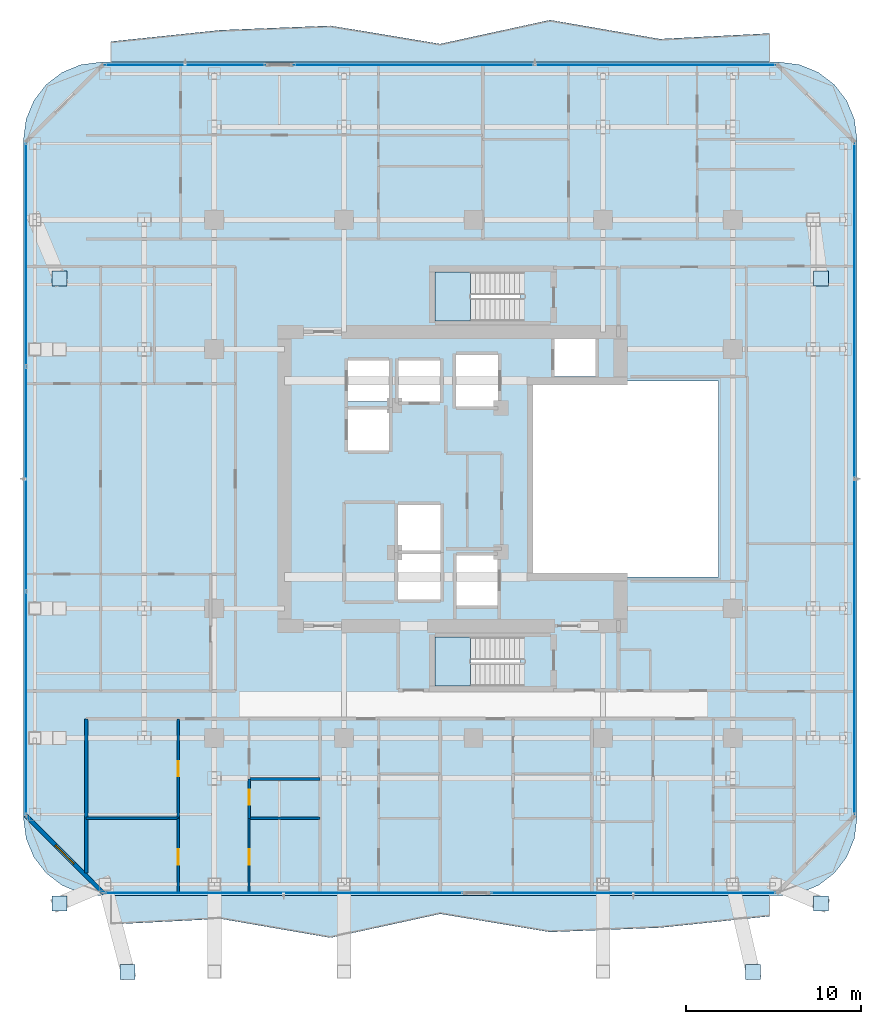
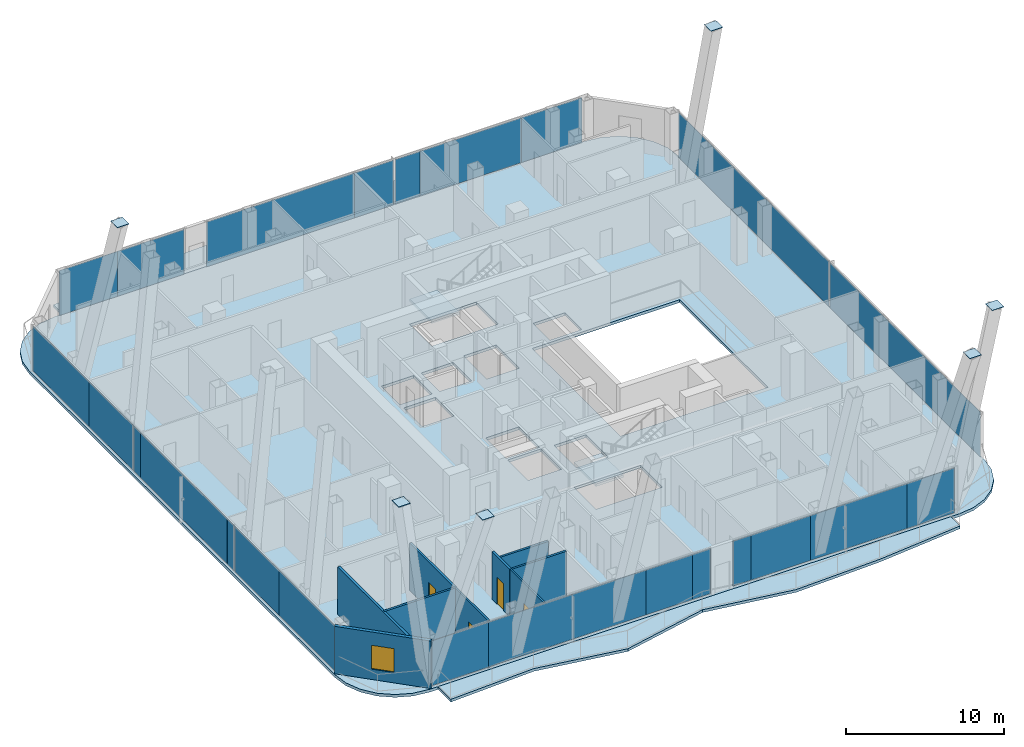
# One storey, part 22 of 34: 30 plates, 9 walls, 5 slabs, 4 doors, 1 window, 5 openings, 8 elements without a shape of their own.
"""IFC4 building model written with IfcOpenShell, lengths in metres."""

import ifcopenshell
import ifcopenshell.guid

model = None  # the IFC model being written
_history = None  # IfcOwnerHistory: only IFC2X3 demands one
_inside = {}  # id of a spatial element -> (the spatial element, [elements in it])
_under = {}  # id of a project, library or spatial element -> (it, [spatial elements below it])
_declared = {}  # id of a project -> (the project, [libraries it declares])
_typed = {}  # id of a type object -> (the type object, [elements of that type])
_made_of = {}  # id of a material, layer set ... -> (it, [elements and type objects made of it])


def new_model(schema):
    """Start an empty IFC model of exactly this schema.

    Asked for "IFC4X3", IfcOpenShell would pick the latest addendum, in which some entities
    have other attributes; the version numbers below select the first issue.
    IFC2X3 requires an IfcOwnerHistory on every rooted entity: one is made here for all.
    """
    global model, _history
    if schema == "IFC4X3":
        model = ifcopenshell.file(schema_version=(4, 3, 0, 0))
    else:
        model = ifcopenshell.file(schema=schema)
    _inside.clear()
    _under.clear()
    _declared.clear()
    _typed.clear()
    _made_of.clear()
    _history = None
    if model.schema == "IFC2X3":
        org = make("IfcOrganization", Name="unknown")
        user = make(
            "IfcPersonAndOrganization",
            ThePerson=make("IfcPerson", FamilyName="unknown"),
            TheOrganization=org,
        )
        app = make(
            "IfcApplication",
            ApplicationDeveloper=org,
            Version="unknown",
            ApplicationFullName="unknown",
            ApplicationIdentifier="unknown",
        )
        _history = make(
            "IfcOwnerHistory",
            OwningUser=user,
            OwningApplication=app,
            ChangeAction="ADDED",
            CreationDate=0,
        )
    return model


def make(cls, **values):
    """One entity of the class cls with the attributes given. An attribute that is None is left unset."""
    return model.create_entity(
        cls, **{name: value for name, value in values.items() if value is not None}
    )


def rooted(cls, **values):
    """An entity with a GlobalId (a new one), such as an element, a storey or a relation."""
    return make(cls, GlobalId=ifcopenshell.guid.new(), OwnerHistory=_history, **values)


def si_unit(unit_type, name, prefix=None):
    """IfcSIUnit, for example si_unit("LENGTHUNIT", "METRE", prefix="MILLI")."""
    return make("IfcSIUnit", UnitType=unit_type, Prefix=prefix, Name=name)


def assignment(units):
    """IfcUnitAssignment: the units of a project."""
    return None if units is None else make("IfcUnitAssignment", Units=units)


def point(xyz):
    """IfcCartesianPoint."""
    return None if xyz is None else make("IfcCartesianPoint", Coordinates=xyz)


def direction(xyz):
    """IfcDirection."""
    return None if xyz is None else make("IfcDirection", DirectionRatios=xyz)


def frame(location, z_axis=None, x_axis=None):
    """IfcAxis2Placement3D, a coordinate frame: its origin and axes. An axis left out is left unset."""
    return make(
        "IfcAxis2Placement3D",
        Location=point(location),
        Axis=direction(z_axis),
        RefDirection=direction(x_axis),
    )


def frame_2d(location, x_axis=None):
    """IfcAxis2Placement2D, a coordinate frame in the plane: its origin and x axis."""
    return make(
        "IfcAxis2Placement2D", Location=point(location), RefDirection=direction(x_axis)
    )


def origin():
    """The frame at (0, 0, 0) with its axes left unset."""
    return frame((0.0, 0.0, 0.0))


def origin_2d():
    """The frame at (0, 0) in the plane with its x axis left unset."""
    return frame_2d((0.0, 0.0))


def place(relative_to, where):
    """IfcLocalPlacement: puts the frame where relative to a parent placement (None: the world)."""
    return make(
        "IfcLocalPlacement", PlacementRelTo=relative_to, RelativePlacement=where
    )


def context(
    kind, dimensions, precision=None, world=None, true_north=None, identifier=None
):
    """IfcGeometricRepresentationContext, for example the 3D "Model" context."""
    return make(
        "IfcGeometricRepresentationContext",
        ContextIdentifier=identifier,
        ContextType=kind,
        CoordinateSpaceDimension=dimensions,
        Precision=precision,
        WorldCoordinateSystem=world,
        TrueNorth=true_north,
    )


def subcontext(parent, identifier, kind, view, scale=None):
    """IfcGeometricRepresentationSubContext, for example "Body" below "Model"."""
    return make(
        "IfcGeometricRepresentationSubContext",
        ContextIdentifier=identifier,
        ContextType=kind,
        ParentContext=parent,
        TargetScale=scale,
        TargetView=view,
    )


def project(units=None, contexts=None):
    """IfcProject with its units and contexts."""
    return rooted(
        "IfcProject",
        Name="project",
        RepresentationContexts=contexts,
        UnitsInContext=assignment(units),
    )


def spatial(cls, under=None, at=None, **own):
    """A site, building, storey or space (cls), placed at a placement, below another one or the project."""
    s = rooted(cls, ObjectPlacement=at, **own)
    if under is not None:
        _under.setdefault(under.id(), (under, []))[1].append(s)
    return s


def polyline(points):
    """IfcPolyline through the points."""
    return make("IfcPolyline", Points=[point(p) for p in points])


def profile(cls, at=None, kind="AREA", **sizes):
    """A parametric profile (cls). Its sizes go by their IFC names, for example OverallWidth=200.0."""
    return make(cls, ProfileType=kind, Position=at, **sizes)


def rectangle(**sizes):
    """IfcRectangleProfileDef."""
    return profile("IfcRectangleProfileDef", **sizes)


def outline(outer, holes=None, kind="AREA"):
    """IfcArbitraryClosedProfileDef: a profile drawn as a closed curve; with holes, ...WithVoids."""
    if holes is None:
        return make("IfcArbitraryClosedProfileDef", ProfileType=kind, OuterCurve=outer)
    return make(
        "IfcArbitraryProfileDefWithVoids",
        ProfileType=kind,
        OuterCurve=outer,
        InnerCurves=holes,
    )


def extrude(swept, where, along, depth):
    """IfcExtrudedAreaSolid: the profile swept, set in the frame where, extruded along a direction by depth."""
    return make(
        "IfcExtrudedAreaSolid",
        SweptArea=swept,
        Position=where,
        ExtrudedDirection=direction(along),
        Depth=depth,
    )


def shape(context_of_items, identifier, shape_type, items):
    """IfcShapeRepresentation: the items that make up one representation, for example the "Body"."""
    return make(
        "IfcShapeRepresentation",
        ContextOfItems=context_of_items,
        RepresentationIdentifier=identifier,
        RepresentationType=shape_type,
        Items=items,
    )


def material(Name=None, Category=None):
    """IfcMaterial."""
    return make("IfcMaterial", Name=Name, Category=Category)


def layer(
    of_material, thickness, ventilated=None, Name=None, Category=None, Priority=None
):
    """IfcMaterialLayer: one layer of a wall or slab, of a material (None: an air gap)."""
    return make(
        "IfcMaterialLayer",
        Material=of_material,
        LayerThickness=thickness,
        IsVentilated=ventilated,
        Name=Name,
        Category=Category,
        Priority=Priority,
    )


def layer_set(layers, Name=None):
    """IfcMaterialLayerSet."""
    return make("IfcMaterialLayerSet", MaterialLayers=layers, LayerSetName=Name)


def made_of(thing, what):
    """Note that an element or type object is made of a material, layer set ...; save() writes the relation."""
    if what is not None:
        _made_of.setdefault(what.id(), (what, []))[1].append(thing)
    return thing


def type_object(cls, material=None, **own):
    """A type object (cls), such as IfcWallType, which elements share."""
    return made_of(rooted(cls, **own), material)


def element(
    cls,
    number,
    at=None,
    inside=None,
    cuts=None,
    type_object=None,
    material=None,
    context=None,
    identifier="Body",
    shape_type=None,
    held_by="IfcProductDefinitionShape",
    body=None,
    shapes=None,
    **own,
):
    """One element of the class cls, such as IfcWall. Its Tag is "e" and its number.

    at: its placement. inside: the storey or other place that contains it. cuts: it is an
    opening in that element (IfcRelVoidsElement). A single representation is given by context,
    identifier, shape_type and body (its items); several are given by shapes. held_by: the class
    of the entity that holds the representations. save() writes the other relations.
    """
    e = rooted(cls, Tag="e%d" % number, ObjectPlacement=at, **own)
    if body is not None:
        shapes = [shape(context, identifier, shape_type, body)]
    if shapes is not None:
        e.Representation = make(held_by, Representations=shapes)
    if inside is not None:
        _inside.setdefault(inside.id(), (inside, []))[1].append(e)
    if cuts is not None:
        rooted(
            "IfcRelVoidsElement", RelatingBuildingElement=cuts, RelatedOpeningElement=e
        )
    if type_object is not None:
        _typed.setdefault(type_object.id(), (type_object, []))[1].append(e)
    return made_of(e, material)


def fill(opening, filler):
    """IfcRelFillsElement: the door or window that sits in an opening."""
    return rooted(
        "IfcRelFillsElement",
        RelatingOpeningElement=opening,
        RelatedBuildingElement=filler,
    )


def aggregate(whole, parts):
    """IfcRelAggregates: a whole, such as a stair, and the parts it consists of."""
    return rooted("IfcRelAggregates", RelatingObject=whole, RelatedObjects=parts)


def save(model, path):
    """Write the relations noted so far, then the file.

    IfcRelAggregates (storeys below a building ...), IfcRelContainedInSpatialStructure (elements
    in a storey), IfcRelDefinesByType, IfcRelAssociatesMaterial and IfcRelDeclares: one each for
    every whole, place, type object, material and project.
    """
    for whole, parts in _under.values():
        aggregate(whole, parts)
    for where, things in _inside.values():
        rooted(
            "IfcRelContainedInSpatialStructure",
            RelatedElements=things,
            RelatingStructure=where,
        )
    for kind, things in _typed.values():
        rooted("IfcRelDefinesByType", RelatedObjects=things, RelatingType=kind)
    for what, things in _made_of.values():
        rooted("IfcRelAssociatesMaterial", RelatedObjects=things, RelatingMaterial=what)
    for by, libraries in _declared.values():
        rooted("IfcRelDeclares", RelatingContext=by, RelatedDefinitions=libraries)
    model.write(path)


model = new_model("IFC4")

# Units and contexts
model_context = context("Model", 3, precision=1e-05, world=origin(), true_north=direction((0.0, 1.0)))
body_context = subcontext(model_context, "Body", "Model", "MODEL_VIEW")
ifc_project = project(units=[si_unit("LENGTHUNIT", "METRE"), si_unit("AREAUNIT", "SQUARE_METRE"), si_unit("VOLUMEUNIT", "CUBIC_METRE"), si_unit("PLANEANGLEUNIT", "RADIAN"), si_unit("MASSUNIT", "GRAM", prefix="KILO")], contexts=[model_context])

# Site, building, storey
site_placement = place(None, origin())
site = spatial("IfcSite", under=ifc_project, at=site_placement, CompositionType="ELEMENT")
building_placement = place(site_placement, origin())
building = spatial("IfcBuilding", under=site, at=building_placement, Name="Khorvyn Point Tower", CompositionType="ELEMENT")
storey_placement = place(building_placement, frame((0.0, 0.0, 175.800048828125)))
storey = spatial("IfcBuildingStorey", under=building, at=storey_placement, Name="L43", CompositionType="ELEMENT", Elevation=175.800048828125)

# Slabs
ifc_material_1 = material(Name="Concrete C35/45", Category="concrete")
ifc_layer_1 = layer(ifc_material_1, 0.219970703125)
ifc_layer_set_1 = layer_set([ifc_layer_1], Name="Concrete C35/45 Structural Floor Slab 220")
slab_type_1 = type_object("IfcSlabType", Name="Concrete C35/45 Structural Floor Slab 220", PredefinedType="FLOOR", material=ifc_layer_set_1)
slab_1_placement = place(storey_placement, frame((0.0, 0.0, -0.219970703125)))
element("IfcSlab", 1, at=slab_1_placement, inside=storey, type_object=slab_type_1, Name="L43 Main Structural Floor Slab", PredefinedType="FLOOR", context=body_context, shape_type="SweptSolid", body=[
    extrude(outline(polyline([(-21.300048828125, -23.800048828125), (-22.438720703125, -23.650146484375), (-23.5, -23.21044921875), (-24.411376953125, -22.51123046875), (-25.110595703125, -21.60009765625), (-25.550048828125, -20.538818359375), (-25.699951171875, -19.39990234375), (-25.699951171875, 19.39990234375), (-25.550048828125, 20.538818359375), (-25.110595703125, 21.60009765625), (-24.411376953125, 22.51123046875), (-23.5, 23.21044921875), (-22.438720703125, 23.650146484375), (-21.300048828125, 23.800048828125), (17.5, 23.800048828125), (18.638916015625, 23.650146484375), (19.699951171875, 23.21044921875), (20.611328125, 22.51123046875), (21.310546875, 21.60009765625), (21.75, 20.538818359375), (21.89990234375, 19.39990234375), (21.89990234375, -19.39990234375), (21.75, -20.538818359375), (21.310546875, -21.60009765625), (20.611328125, -22.51123046875), (19.699951171875, -23.21044921875), (18.638916015625, -23.650146484375), (17.5, -23.800048828125), (-21.300048828125, -23.800048828125)]), holes=[polyline([(-1.875, -6.89990234375), (-1.875, -4.300048828125), (-4.324951171875, -4.300048828125), (-4.324951171875, -6.89990234375), (-1.875, -6.89990234375)]), polyline([(-1.875, -4.10009765625), (-1.875, -1.5), (-4.324951171875, -1.5), (-4.324951171875, -4.10009765625), (-1.875, -4.10009765625)]), polyline([(-4.824951171875, 1.625), (-4.824951171875, 3.97509765625), (-7.175048828125, 3.97509765625), (-7.175048828125, 1.625), (-4.824951171875, 1.625)]), polyline([(-7.175048828125, 4.425048828125), (-4.824951171875, 4.425048828125), (-4.824951171875, 6.77490234375), (-7.175048828125, 6.77490234375), (-7.175048828125, 4.425048828125)]), polyline([(-4.27490234375, 4.425048828125), (-1.925048828125, 4.425048828125), (-1.925048828125, 6.77490234375), (-4.27490234375, 6.77490234375), (-4.27490234375, 4.425048828125)]), polyline([(1.39990234375, 4.125), (1.39990234375, 7.074951171875), (-1.0, 7.074951171875), (-1.0, 4.125), (1.39990234375, 4.125)]), polyline([(-2.199951171875, -11.820068359375), (2.679931640625, -11.820068359375), (2.679931640625, -9.02001953125), (-2.199951171875, -9.02001953125), (-2.199951171875, -11.820068359375)]), polyline([(-0.97509765625, -7.22509765625), (1.375, -7.22509765625), (1.375, -4.375), (-0.97509765625, -4.375), (-0.97509765625, -7.22509765625)]), polyline([(14.0, -5.60009765625), (14.0, 5.60009765625), (3.199951171875, 5.60009765625), (3.199951171875, -5.60009765625), (14.0, -5.60009765625)]), polyline([(4.625, 5.85009765625), (6.97509765625, 5.85009765625), (6.97509765625, 7.97998046875), (4.625, 7.97998046875), (4.625, 5.85009765625)]), polyline([(-2.199951171875, 9.02001953125), (2.679931640625, 9.02001953125), (2.679931640625, 11.820068359375), (-2.199951171875, 11.820068359375), (-2.199951171875, 9.02001953125)])]), origin(), (0.0, 0.0, 1.0), 0.219970703125),
])
ifc_material_2 = material(Name="Concrete C40/50", Category="concrete")
ifc_layer_2 = layer(ifc_material_2, 0.2099609375)
ifc_layer_set_2 = layer_set([ifc_layer_2], Name="Concrete C40/50 Rippling Balcony Slab 210")
slab_type_2 = type_object("IfcSlabType", Name="Concrete C40/50 Rippling Balcony Slab 210", PredefinedType="USERDEFINED", material=ifc_layer_set_2)
slab_2_placement = place(storey_placement, frame((0.0, 0.0, -0.2099609375)))
element("IfcSlab", 2, at=slab_2_placement, inside=storey, type_object=slab_type_2, Name="L43 North Sinusoidal Rippling Balcony", ObjectType="BALCONY", PredefinedType="USERDEFINED", context=body_context, shape_type="SweptSolid", body=[
    extrude(outline(polyline([(16.89990234375, 23.800048828125), (16.89990234375, 25.441650390625), (10.63330078125, 25.12255859375), (4.36669921875, 26.20703125), (-1.89990234375, 24.8408203125), (-8.166748046875, 25.8798828125), (-14.433349609375, 25.630859375), (-20.699951171875, 24.978759765625), (-20.699951171875, 23.800048828125), (16.89990234375, 23.800048828125)])), origin(), (0.0, 0.0, 1.0), 0.2099609375),
])
slab_3_placement = place(storey_placement, frame((0.0, 0.0, -0.2099609375)))
element("IfcSlab", 3, at=slab_3_placement, inside=storey, type_object=slab_type_2, Name="L43 South Sinusoidal Rippling Balcony", ObjectType="BALCONY", PredefinedType="USERDEFINED", context=body_context, shape_type="SweptSolid", body=[
    extrude(outline(polyline([(-20.699951171875, -23.800048828125), (-20.699951171875, -25.441650390625), (-14.433349609375, -25.12255859375), (-8.166748046875, -26.20703125), (-1.89990234375, -24.8408203125), (4.36669921875, -25.8798828125), (10.63330078125, -25.630859375), (16.89990234375, -24.978759765625), (16.89990234375, -23.800048828125), (-20.699951171875, -23.800048828125)])), origin(), (0.0, 0.0, 1.0), 0.2099609375),
])

# Stair, slab
stair_type = type_object("IfcStairType", Name="Tower Concrete C40/50 Dogleg Exit Stair", PredefinedType="HALF_TURN_STAIR", material=ifc_material_2)
stair_1_placement = place(storey_placement, origin())
stair_1 = element("IfcStair", 4, at=stair_1_placement, inside=storey, type_object=stair_type, Name="L43 Tower Smokeproof Exit Stair South", PredefinedType="HALF_TURN_STAIR")
ifc_layer_3 = layer(ifc_material_2, 0.199951171875)
ifc_layer_set_3 = layer_set([ifc_layer_3], Name="Concrete C40/50 Stair Landing Slab 200")
slab_type_3 = type_object("IfcSlabType", Name="Concrete C40/50 Stair Landing Slab 200", PredefinedType="LANDING", material=ifc_layer_set_3)
slab_4_placement = place(storey_placement, frame((0.0, 0.0, 1.75)))
slab_4 = element("IfcSlab", 5, at=slab_4_placement, type_object=slab_type_3, Name="ST-01 landing 1", PredefinedType="LANDING", context=body_context, shape_type="SweptSolid", body=[
    extrude(outline(polyline([(-0.179931640625, -9.02001953125), (-2.199951171875, -9.02001953125), (-2.199951171875, -11.820068359375), (-0.179931640625, -11.820068359375), (-0.179931640625, -9.02001953125)])), origin(), (0.0, 0.0, 1.0), 0.199951171875),
])
aggregate(stair_1, [slab_4])

stair_2_placement = place(storey_placement, origin())
stair_2 = element("IfcStair", 6, at=stair_2_placement, inside=storey, type_object=stair_type, Name="L43 Tower Smokeproof Exit Stair North", PredefinedType="HALF_TURN_STAIR")
slab_5_placement = place(storey_placement, frame((0.0, 0.0, 1.75)))
slab_5 = element("IfcSlab", 7, at=slab_5_placement, type_object=slab_type_3, Name="ST-02 landing 1", PredefinedType="LANDING", context=body_context, shape_type="SweptSolid", body=[
    extrude(outline(polyline([(-0.179931640625, 11.820068359375), (-2.199951171875, 11.820068359375), (-2.199951171875, 9.02001953125), (-0.179931640625, 9.02001953125), (-0.179931640625, 11.820068359375)])), origin(), (0.0, 0.0, 1.0), 0.199951171875),
])
aggregate(stair_2, [slab_5])

# Plates
ifc_material_3 = material(Name="Steel S450", Category="steel")
ifc_layer_4 = layer(ifc_material_3, 0.031982421875)
ifc_layer_set_4 = layer_set([ifc_layer_4], Name="Steel S450 Exoskeleton End Cap Plate 32")
plate_type_1 = type_object("IfcPlateType", Name="Steel S450 Exoskeleton End Cap Plate 32", PredefinedType="USERDEFINED", material=ifc_layer_set_4)
for number, where, z_axis, x_axis, name in (
    (8, (-19.749267578125, -28.153076171875, 15.59326171875), (0.0, 0.0, 1.0), (1.0, 0.0, 0.0), "Plate"),
    (9, (15.95068359375, -28.153076171875, 15.59326171875), (0.0, 0.0, 1.0), (1.0, 0.0, 0.0), "Plate"),
    (10, (-23.651611328125, -24.250732421875, 15.59375), (0.0, 0.0, 1.0), (1.0, 0.0, 0.0), "Plate"),
    (11, (-23.649169921875, 11.447998046875, 15.59375), (0.0, 0.0, 1.0), (1.0, 0.0, 0.0), "Plate"),
    (12, (19.8515625, -24.250732421875, 15.59375), (0.0, 0.0, 1.0), (1.0, 0.0, 0.0), "Plate"),
    (13, (19.850341796875, 11.447998046875, 15.59375), (0.0, 0.0, 1.0), (1.0, 0.0, 0.0), "Plate"),
):
    element("IfcPlate", number, at=place(storey_placement, frame(where, z_axis=z_axis, x_axis=x_axis)), inside=storey, type_object=plate_type_1, Name=name, ObjectType="GUSSET", PredefinedType="USERDEFINED", context=body_context, shape_type="SweptSolid", body=[
        extrude(rectangle(XDim=0.860107421875, YDim=0.860107421875, at=origin_2d()), origin(), (0.0, 0.0, 1.0), 0.031982421875),
    ])

# Curtain wall, plates
ifc_material_4 = material(Name="Anodised aluminium 6063-T6 and laminated Low-E glass", Category="aluminium")
ifc_layer_5 = layer(ifc_material_4, 0.18994140625)
ifc_layer_set_5 = layer_set([ifc_layer_5], Name="Stick-Built Acoustic Curtain Wall CW-SYS-03")
curtain_wall_type = type_object("IfcCurtainWallType", Name="Stick-Built Acoustic Curtain Wall CW-SYS-03", PredefinedType="NOTDEFINED", material=ifc_layer_set_5)
curtain_wall_1_placement = place(storey_placement, origin())
curtain_wall_1 = element("IfcCurtainWall", 14, at=curtain_wall_1_placement, inside=storey, type_object=curtain_wall_type, Name="Curtain Wall", PredefinedType="NOTDEFINED")
ifc_material_5 = material(Name="Laminated Low-E insulated glass", Category="glass")
ifc_layer_6 = layer(ifc_material_5, 0.028076171875)
ifc_layer_set_6 = layer_set([ifc_layer_6], Name="Tempered Low-E Vision Glazing Panel CW-GL28")
plate_type_2 = type_object("IfcPlateType", Name="Tempered Low-E Vision Glazing Panel CW-GL28", PredefinedType="CURTAIN_PANEL", material=ifc_layer_set_6)
plate_1_placement = place(storey_placement, frame((1.655517578125, -23.64990234375, 0.099853515625), z_axis=(0.0, 0.0, 1.0), x_axis=(-1.0, 0.0, 0.0)))
plate_1 = element("IfcPlate", 15, at=plate_1_placement, type_object=plate_type_2, Name="Panel", PredefinedType="CURTAIN_PANEL", context=body_context, shape_type="SweptSolid", body=[
    extrude(rectangle(XDim=1.30908203125, YDim=0.028076171875, at=origin_2d()), origin(), (0.0, 0.0, 1.0), 3.47998046875),
])
plate_2_placement = place(storey_placement, frame((4.50390625, -23.64990234375, 0.099853515625), z_axis=(0.0, 0.0, 1.0), x_axis=(-1.0, 0.0, 0.0)))
plate_2 = element("IfcPlate", 16, at=plate_2_placement, type_object=plate_type_2, Name="Panel", PredefinedType="CURTAIN_PANEL", context=body_context, shape_type="SweptSolid", body=[
    extrude(rectangle(XDim=4.3720703125, YDim=0.028076171875, at=origin_2d()), origin(), (0.0, 0.0, 1.0), 3.47998046875),
])
plate_3_placement = place(storey_placement, frame((10.22412109375, -23.64990234375, 0.099853515625), z_axis=(0.0, 0.0, 1.0), x_axis=(-1.0, 0.0, 0.0)))
plate_3 = element("IfcPlate", 17, at=plate_3_placement, type_object=plate_type_2, Name="Panel", PredefinedType="CURTAIN_PANEL", context=body_context, shape_type="SweptSolid", body=[
    extrude(rectangle(XDim=7.052001953125, YDim=0.028076171875, at=origin_2d()), origin(), (0.0, 0.0, 1.0), 3.47998046875),
])
plate_4_placement = place(storey_placement, frame((15.501953125, -23.64990234375, 0.099853515625), z_axis=(0.0, 0.0, 1.0), x_axis=(-1.0, 0.0, 0.0)))
plate_4 = element("IfcPlate", 18, at=plate_4_placement, type_object=plate_type_2, Name="Panel", PredefinedType="CURTAIN_PANEL", context=body_context, shape_type="SweptSolid", body=[
    extrude(rectangle(XDim=3.488037109375, YDim=0.028076171875, at=origin_2d()), origin(), (0.0, 0.0, 1.0), 3.47998046875),
])
aggregate(curtain_wall_1, [plate_1, plate_2, plate_3, plate_4])

curtain_wall_2_placement = place(storey_placement, origin())
curtain_wall_2 = element("IfcCurtainWall", 19, at=curtain_wall_2_placement, inside=storey, type_object=curtain_wall_type, Name="Curtain Wall", PredefinedType="NOTDEFINED")
plate_5_placement = place(storey_placement, frame((-18.985107421875, -23.64990234375, 0.099853515625), z_axis=(0.0, 0.0, 1.0), x_axis=(-1.0, 0.0, 0.0)))
plate_5 = element("IfcPlate", 20, at=plate_5_placement, type_object=plate_type_2, Name="Panel", PredefinedType="CURTAIN_PANEL", context=body_context, shape_type="SweptSolid", body=[
    extrude(rectangle(XDim=4.1220703125, YDim=0.028076171875, at=origin_2d()), origin(), (0.0, 0.0, 1.0), 3.47998046875),
])
plate_6_placement = place(storey_placement, frame((-11.136962890625, -23.64990234375, 0.099853515625), z_axis=(0.0, 0.0, 1.0), x_axis=(-1.0, 0.0, 0.0)))
plate_6 = element("IfcPlate", 21, at=plate_6_placement, type_object=plate_type_2, Name="Panel", PredefinedType="CURTAIN_PANEL", context=body_context, shape_type="SweptSolid", body=[
    extrude(rectangle(XDim=11.55810546875, YDim=0.028076171875, at=origin_2d()), origin(), (0.0, 0.0, 1.0), 3.47998046875),
])
plate_7_placement = place(storey_placement, frame((-3.656982421875, -23.64990234375, 0.099853515625), z_axis=(0.0, 0.0, 1.0), x_axis=(-1.0, 0.0, 0.0)))
plate_7 = element("IfcPlate", 22, at=plate_7_placement, type_object=plate_type_2, Name="Panel", PredefinedType="CURTAIN_PANEL", context=body_context, shape_type="SweptSolid", body=[
    extrude(rectangle(XDim=3.385986328125, YDim=0.028076171875, at=origin_2d()), origin(), (0.0, 0.0, 1.0), 3.47998046875),
])
plate_8_placement = place(storey_placement, frame((-1.301513671875, -23.64990234375, 0.099853515625), z_axis=(0.0, 0.0, 1.0), x_axis=(-1.0, 0.0, 0.0)))
plate_8 = element("IfcPlate", 23, at=plate_8_placement, type_object=plate_type_2, Name="Panel", PredefinedType="CURTAIN_PANEL", context=body_context, shape_type="SweptSolid", body=[
    extrude(rectangle(XDim=1.30908203125, YDim=0.028076171875, at=origin_2d()), origin(), (0.0, 0.0, 1.0), 3.47998046875),
])
aggregate(curtain_wall_2, [plate_5, plate_6, plate_7, plate_8])

curtain_wall_3_placement = place(storey_placement, origin())
curtain_wall_3 = element("IfcCurtainWall", 24, at=curtain_wall_3_placement, inside=storey, type_object=curtain_wall_type, Name="Curtain Wall", PredefinedType="NOTDEFINED")
plate_9_placement = place(storey_placement, frame((-18.91796875, 23.64990234375, 0.099853515625), z_axis=(0.0, 0.0, 1.0), x_axis=(1.0, 0.0, 0.0)))
plate_9 = element("IfcPlate", 25, at=plate_9_placement, type_object=plate_type_2, Name="Panel", PredefinedType="CURTAIN_PANEL", context=body_context, shape_type="SweptSolid", body=[
    extrude(rectangle(XDim=4.256103515625, YDim=0.028076171875, at=origin_2d()), origin(), (0.0, 0.0, 1.0), 3.47998046875),
])
plate_10_placement = place(storey_placement, frame((-14.341552734375, 23.64990234375, 0.099853515625), z_axis=(0.0, 0.0, 1.0), x_axis=(1.0, 0.0, 0.0)))
plate_10 = element("IfcPlate", 26, at=plate_10_placement, type_object=plate_type_2, Name="Panel", PredefinedType="CURTAIN_PANEL", context=body_context, shape_type="SweptSolid", body=[
    extrude(rectangle(XDim=4.881103515625, YDim=0.028076171875, at=origin_2d()), origin(), (0.0, 0.0, 1.0), 3.47998046875),
])
aggregate(curtain_wall_3, [plate_9, plate_10])

curtain_wall_4_placement = place(storey_placement, origin())
curtain_wall_4 = element("IfcCurtainWall", 27, at=curtain_wall_4_placement, inside=storey, type_object=curtain_wall_type, Name="Curtain Wall", PredefinedType="NOTDEFINED")
plate_11_placement = place(storey_placement, frame((-4.83544921875, 23.64990234375, 0.099853515625), z_axis=(0.0, 0.0, 1.0), x_axis=(1.0, 0.0, 0.0)))
plate_11 = element("IfcPlate", 28, at=plate_11_placement, type_object=plate_type_2, Name="Panel", PredefinedType="CURTAIN_PANEL", context=body_context, shape_type="SweptSolid", body=[
    extrude(rectangle(XDim=10.8349609375, YDim=0.028076171875, at=origin_2d()), origin(), (0.0, 0.0, 1.0), 3.47998046875),
])
plate_12_placement = place(storey_placement, frame((2.016357421875, 23.64990234375, 0.099853515625), z_axis=(0.0, 0.0, 1.0), x_axis=(1.0, 0.0, 0.0)))
plate_12 = element("IfcPlate", 29, at=plate_12_placement, type_object=plate_type_2, Name="Panel", PredefinedType="CURTAIN_PANEL", context=body_context, shape_type="SweptSolid", body=[
    extrude(rectangle(XDim=2.8525390625, YDim=0.028076171875, at=origin_2d()), origin(), (0.0, 0.0, 1.0), 3.47998046875),
])
plate_13_placement = place(storey_placement, frame((4.458740234375, 23.64990234375, 0.099853515625), z_axis=(0.0, 0.0, 1.0), x_axis=(1.0, 0.0, 0.0)))
plate_13 = element("IfcPlate", 30, at=plate_13_placement, type_object=plate_type_2, Name="Panel", PredefinedType="CURTAIN_PANEL", context=body_context, shape_type="SweptSolid", body=[
    extrude(rectangle(XDim=1.81640625, YDim=0.028076171875, at=origin_2d()), origin(), (0.0, 0.0, 1.0), 3.47998046875),
])
plate_14_placement = place(storey_placement, frame((9.099609375, 23.64990234375, 0.099853515625), z_axis=(0.0, 0.0, 1.0), x_axis=(1.0, 0.0, 0.0)))
plate_14 = element("IfcPlate", 31, at=plate_14_placement, type_object=plate_type_2, Name="Panel", PredefinedType="CURTAIN_PANEL", context=body_context, shape_type="SweptSolid", body=[
    extrude(rectangle(XDim=7.448974609375, YDim=0.028076171875, at=origin_2d()), origin(), (0.0, 0.0, 1.0), 3.47998046875),
])
plate_15_placement = place(storey_placement, frame((15.0390625, 23.64990234375, 0.099853515625), z_axis=(0.0, 0.0, 1.0), x_axis=(1.0, 0.0, 0.0)))
plate_15 = element("IfcPlate", 32, at=plate_15_placement, type_object=plate_type_2, Name="Panel", PredefinedType="CURTAIN_PANEL", context=body_context, shape_type="SweptSolid", body=[
    extrude(rectangle(XDim=4.4140625, YDim=0.028076171875, at=origin_2d()), origin(), (0.0, 0.0, 1.0), 3.47998046875),
])
aggregate(curtain_wall_4, [plate_11, plate_12, plate_13, plate_14, plate_15])

curtain_wall_5_placement = place(storey_placement, origin())
curtain_wall_5 = element("IfcCurtainWall", 33, at=curtain_wall_5_placement, inside=storey, type_object=curtain_wall_type, Name="Curtain Wall", PredefinedType="NOTDEFINED")
plate_16_placement = place(storey_placement, frame((-25.550048828125, -15.60498046875, 0.099853515625), z_axis=(0.0, 0.0, 1.0), x_axis=(0.0, 1.0, 0.0)))
plate_16 = element("IfcPlate", 34, at=plate_16_placement, type_object=plate_type_2, Name="Panel", PredefinedType="CURTAIN_PANEL", context=body_context, shape_type="SweptSolid", body=[
    extrude(rectangle(XDim=7.08203125, YDim=0.028076171875, at=origin_2d()), origin(), (0.0, 0.0, 1.0), 3.47998046875),
])
plate_17_placement = place(storey_placement, frame((-25.550048828125, -9.26318359375, 0.099853515625), z_axis=(0.0, 0.0, 1.0), x_axis=(0.0, 1.0, 0.0)))
plate_17 = element("IfcPlate", 35, at=plate_17_placement, type_object=plate_type_2, Name="Panel", PredefinedType="CURTAIN_PANEL", context=body_context, shape_type="SweptSolid", body=[
    extrude(rectangle(XDim=5.585205078125, YDim=0.028076171875, at=origin_2d()), origin(), (0.0, 0.0, 1.0), 3.47998046875),
])
plate_18_placement = place(storey_placement, frame((-25.550048828125, -5.931396484375, 0.099853515625), z_axis=(0.0, 0.0, 1.0), x_axis=(0.0, 1.0, 0.0)))
plate_18 = element("IfcPlate", 36, at=plate_18_placement, type_object=plate_type_2, Name="Panel", PredefinedType="CURTAIN_PANEL", context=body_context, shape_type="SweptSolid", body=[
    extrude(rectangle(XDim=0.86279296875, YDim=0.028076171875, at=origin_2d()), origin(), (0.0, 0.0, 1.0), 3.47998046875),
])
plate_19_placement = place(storey_placement, frame((-25.550048828125, 0.0, 0.099853515625), z_axis=(0.0, 0.0, 1.0), x_axis=(0.0, 1.0, 0.0)))
plate_19 = element("IfcPlate", 37, at=plate_19_placement, type_object=plate_type_2, Name="Panel", PredefinedType="CURTAIN_PANEL", context=body_context, shape_type="SweptSolid", body=[
    extrude(rectangle(XDim=10.98388671875, YDim=0.028076171875, at=origin_2d()), origin(), (0.0, 0.0, 1.0), 3.47998046875),
])
plate_20_placement = place(storey_placement, frame((-25.550048828125, 5.931396484375, 0.099853515625), z_axis=(0.0, 0.0, 1.0), x_axis=(0.0, 1.0, 0.0)))
plate_20 = element("IfcPlate", 38, at=plate_20_placement, type_object=plate_type_2, Name="Panel", PredefinedType="CURTAIN_PANEL", context=body_context, shape_type="SweptSolid", body=[
    extrude(rectangle(XDim=0.86279296875, YDim=0.028076171875, at=origin_2d()), origin(), (0.0, 0.0, 1.0), 3.47998046875),
])
plate_21_placement = place(storey_placement, frame((-25.550048828125, 9.26318359375, 0.099853515625), z_axis=(0.0, 0.0, 1.0), x_axis=(0.0, 1.0, 0.0)))
plate_21 = element("IfcPlate", 39, at=plate_21_placement, type_object=plate_type_2, Name="Panel", PredefinedType="CURTAIN_PANEL", context=body_context, shape_type="SweptSolid", body=[
    extrude(rectangle(XDim=5.585205078125, YDim=0.028076171875, at=origin_2d()), origin(), (0.0, 0.0, 1.0), 3.47998046875),
])
plate_22_placement = place(storey_placement, frame((-25.550048828125, 15.60498046875, 0.099853515625), z_axis=(0.0, 0.0, 1.0), x_axis=(0.0, 1.0, 0.0)))
plate_22 = element("IfcPlate", 40, at=plate_22_placement, type_object=plate_type_2, Name="Panel", PredefinedType="CURTAIN_PANEL", context=body_context, shape_type="SweptSolid", body=[
    extrude(rectangle(XDim=7.08203125, YDim=0.028076171875, at=origin_2d()), origin(), (0.0, 0.0, 1.0), 3.47998046875),
])
aggregate(curtain_wall_5, [plate_16, plate_17, plate_18, plate_19, plate_20, plate_21, plate_22])

curtain_wall_6_placement = place(storey_placement, origin())
curtain_wall_6 = element("IfcCurtainWall", 41, at=curtain_wall_6_placement, inside=storey, type_object=curtain_wall_type, Name="Curtain Wall", PredefinedType="NOTDEFINED")
plate_23_placement = place(storey_placement, frame((21.75, 9.60009765625, 0.099853515625), z_axis=(0.0, 0.0, 1.0), x_axis=(0.0, -1.0, 0.0)))
plate_23 = element("IfcPlate", 42, at=plate_23_placement, type_object=plate_type_2, Name="Panel", PredefinedType="CURTAIN_PANEL", context=body_context, shape_type="SweptSolid", body=[
    extrude(rectangle(XDim=19.10009765625, YDim=0.028076171875, at=origin_2d()), origin(), (0.0, 0.0, 1.0), 3.47998046875),
])
plate_24_placement = place(storey_placement, frame((21.75, -9.60009765625, 0.099853515625), z_axis=(0.0, 0.0, 1.0), x_axis=(0.0, -1.0, 0.0)))
plate_24 = element("IfcPlate", 43, at=plate_24_placement, type_object=plate_type_2, Name="Panel", PredefinedType="CURTAIN_PANEL", context=body_context, shape_type="SweptSolid", body=[
    extrude(rectangle(XDim=19.10009765625, YDim=0.028076171875, at=origin_2d()), origin(), (0.0, 0.0, 1.0), 3.47998046875),
])
aggregate(curtain_wall_6, [plate_23, plate_24])

# Wall
ifc_material_6 = material(Name="Double acoustic gypsum on twin steel stud", Category="steel")
ifc_layer_7 = layer(ifc_material_6, 0.179931640625)
ifc_layer_set_7 = layer_set([ifc_layer_7], Name="Acoustic Double-Stud Apartment Demising Wall 180")
wall_type_1 = type_object("IfcWallType", Name="Acoustic Double-Stud Apartment Demising Wall 180", PredefinedType="PARTITIONING", material=ifc_layer_set_7)
wall_1_placement = place(storey_placement, frame((-22.1201171875, -22.510009765625, 0.0), z_axis=(0.0, 0.0, 1.0), x_axis=(0.0, 1.0, 0.0)))
element("IfcWall", 44, at=wall_1_placement, inside=storey, type_object=wall_type_1, Name="Wall", PredefinedType="PARTITIONING", context=body_context, shape_type="SweptSolid", body=[
    extrude(rectangle(XDim=8.81005859375, YDim=0.179931640625, at=frame_2d((4.405029296875, 0.0))), origin(), (0.0, 0.0, 1.0), 3.679931640625),
])

# Wall, opening, window
ifc_material_7 = material(Name="Pale anodised aluminium rainscreen on steel stud", Category="steel")
ifc_layer_8 = layer(ifc_material_7, 0.239990234375)
ifc_layer_set_8 = layer_set([ifc_layer_8], Name="Anodised Aluminium Insulated Corner Spandrel Wall 240")
wall_type_2 = type_object("IfcWallType", Name="Anodised Aluminium Insulated Corner Spandrel Wall 240", PredefinedType="SOLIDWALL", material=ifc_layer_set_8)
wall_2_placement = place(storey_placement, frame((-21.107666015625, -23.6923828125, 0.0), z_axis=(0.0, 0.0, 1.0), x_axis=(-0.707087534163, 0.707126027686, 0.0)))
wall_2 = element("IfcWall", 45, at=wall_2_placement, inside=storey, type_object=wall_type_2, Name="L43 Rounded Corner Wall SW", PredefinedType="SOLIDWALL", context=body_context, shape_type="SweptSolid", body=[
    extrude(rectangle(XDim=6.34228515625, YDim=0.239990234375, at=frame_2d((3.171142578125, 0.0))), origin(), (0.0, 0.0, 1.0), 3.679931640625),
])
opening_1_placement = place(wall_2_placement, frame((2.42138671875, 0.0, 0.800048828125)))
opening_1 = element("IfcOpeningElement", 46, at=opening_1_placement, cuts=wall_2, Name="Opening WN-1518", PredefinedType="OPENING", context=body_context, shape_type="SweptSolid", body=[
    extrude(rectangle(XDim=1.5, YDim=1.85009765625, at=frame_2d((0.75, 0.925048828125))), frame((0.0, 0.1298828125, 0.0), z_axis=(0.0, -1.0, 0.0), x_axis=(1.0, 0.0, 0.0)), (0.0, 0.0, 1.0), 0.260009765625),
])
window_type = type_object("IfcWindowType", Name="Anodised Aluminium Rounded-Corner Panoramic Window 1500x1850", PartitioningType="SINGLE_PANEL", PredefinedType="WINDOW", material=ifc_material_4)
window_placement = place(opening_1_placement, origin())
window = element("IfcWindow", 47, at=window_placement, inside=storey, type_object=window_type, Name="L43 Corner Panoramic Window SW", OverallHeight=1.85009765625, OverallWidth=1.5, PartitioningType="SINGLE_PANEL", PredefinedType="WINDOW", context=body_context, shape_type="SweptSolid", body=[
    extrude(rectangle(XDim=1.5, YDim=1.85009765625, at=frame_2d((0.75, 0.925048828125))), frame((0.0, 0.030029296875, 0.0), z_axis=(0.0, -1.0, 0.0), x_axis=(1.0, 0.0, 0.0)), (0.0, 0.0, 1.0), 0.06005859375),
])
fill(opening_1, window)

# Wall, opening, door
ifc_material_8 = material(Name="Gypsum plasterboard on steel stud", Category="steel")
ifc_layer_9 = layer(ifc_material_8, 0.1201171875)
ifc_layer_set_9 = layer_set([ifc_layer_9], Name="Gypsum Acoustic Stud Room Partition Wall 120")
wall_type_3 = type_object("IfcWallType", Name="Gypsum Acoustic Stud Room Partition Wall 120", PredefinedType="PARTITIONING", material=ifc_layer_set_9)
wall_3_placement = place(storey_placement, frame((-16.860107421875, -23.6298828125, 0.0), z_axis=(0.0, 0.0, 1.0), x_axis=(0.0, 1.0, 0.0)))
wall_3 = element("IfcWall", 48, at=wall_3_placement, inside=storey, type_object=wall_type_3, Name="Wall", PredefinedType="PARTITIONING", context=body_context, shape_type="SweptSolid", body=[
    extrude(rectangle(XDim=4.239990234375, YDim=0.1201171875, at=frame_2d((2.1201171875, 0.0))), origin(), (0.0, 0.0, 1.0), 3.679931640625),
])
opening_2_placement = place(wall_3_placement, frame((1.581298828125, 0.0, 0.0)))
opening_2 = element("IfcOpeningElement", 49, at=opening_2_placement, cuts=wall_3, Name="Opening ID-RM90", PredefinedType="OPENING", context=body_context, shape_type="SweptSolid", body=[
    extrude(rectangle(XDim=0.89990234375, YDim=2.10009765625, at=frame_2d((0.449951171875, 1.050048828125))), frame((0.0, 0.070068359375, 0.0), z_axis=(0.0, -1.0, 0.0), x_axis=(1.0, 0.0, 0.0)), (0.0, 0.0, 1.0), 0.14013671875),
])
ifc_material_9 = material(Name="Engineered oak veneer timber", Category="wood")
door_type_1 = type_object("IfcDoorType", Name="Flush Engineered Timber Room Door 900x2100", OperationType="NOTDEFINED", PredefinedType="DOOR", material=ifc_material_9)
door_1_placement = place(opening_2_placement, origin())
door_1 = element("IfcDoor", 50, at=door_1_placement, inside=storey, type_object=door_type_1, Name="Door", OperationType="SINGLE_SWING_RIGHT", OverallHeight=2.10009765625, OverallWidth=0.89990234375, PredefinedType="DOOR", context=body_context, shape_type="SweptSolid", body=[
    extrude(rectangle(XDim=0.89990234375, YDim=2.10009765625, at=frame_2d((0.449951171875, 1.050048828125))), frame((0.0, 0.02490234375, 0.0), z_axis=(0.0, -1.0, 0.0), x_axis=(1.0, 0.0, 0.0)), (0.0, 0.0, 1.0), 0.050048828125),
])
fill(opening_2, door_1)

wall_4_placement = place(storey_placement, frame((-12.81591796875, -23.6298828125, 0.0), z_axis=(0.0, 0.0, 1.0), x_axis=(0.0, 1.0, 0.0)))
wall_4 = element("IfcWall", 51, at=wall_4_placement, inside=storey, type_object=wall_type_3, Name="Wall", PredefinedType="PARTITIONING", context=body_context, shape_type="SweptSolid", body=[
    extrude(rectangle(XDim=4.239990234375, YDim=0.1201171875, at=frame_2d((2.1201171875, 0.0))), origin(), (0.0, 0.0, 1.0), 3.679931640625),
])
opening_3_placement = place(wall_4_placement, frame((1.581298828125, 0.0, 0.0)))
opening_3 = element("IfcOpeningElement", 52, at=opening_3_placement, cuts=wall_4, Name="Opening ID-RM90", PredefinedType="OPENING", context=body_context, shape_type="SweptSolid", body=[
    extrude(rectangle(XDim=0.89990234375, YDim=2.10009765625, at=frame_2d((0.449951171875, 1.050048828125))), frame((0.0, 0.070068359375, 0.0), z_axis=(0.0, -1.0, 0.0), x_axis=(1.0, 0.0, 0.0)), (0.0, 0.0, 1.0), 0.14013671875),
])
door_2_placement = place(opening_3_placement, origin())
door_2 = element("IfcDoor", 53, at=door_2_placement, inside=storey, type_object=door_type_1, Name="Door", OperationType="SINGLE_SWING_LEFT", OverallHeight=2.10009765625, OverallWidth=0.89990234375, PredefinedType="DOOR", context=body_context, shape_type="SweptSolid", body=[
    extrude(rectangle(XDim=0.89990234375, YDim=2.10009765625, at=frame_2d((0.449951171875, 1.050048828125))), frame((0.0, 0.02490234375, 0.0), z_axis=(0.0, -1.0, 0.0), x_axis=(1.0, 0.0, 0.0)), (0.0, 0.0, 1.0), 0.050048828125),
])
fill(opening_3, door_2)

ifc_material_10 = material(Name="Moisture-resistant gypsum and cement board", Category="gypsum")
ifc_layer_10 = layer(ifc_material_10, 0.14990234375)
ifc_layer_set_10 = layer_set([ifc_layer_10], Name="Moisture-Resistant Wet-Room Partition Wall 150")
wall_type_4 = type_object("IfcWallType", Name="Moisture-Resistant Wet-Room Partition Wall 150", PredefinedType="PARTITIONING", material=ifc_layer_set_10)
wall_5_placement = place(storey_placement, frame((-16.860107421875, -19.389892578125, 0.0), z_axis=(0.0, 0.0, 1.0), x_axis=(0.0, 1.0, 0.0)))
wall_5 = element("IfcWall", 54, at=wall_5_placement, inside=storey, type_object=wall_type_4, Name="Wall", PredefinedType="PARTITIONING", context=body_context, shape_type="SweptSolid", body=[
    extrude(rectangle(XDim=5.68994140625, YDim=0.14990234375, at=frame_2d((2.844970703125, 0.0))), origin(), (0.0, 0.0, 1.0), 3.679931640625),
])
opening_4_placement = place(wall_5_placement, frame((2.419921875, 0.0, 0.0)))
opening_4 = element("IfcOpeningElement", 55, at=opening_4_placement, cuts=wall_5, Name="Opening ID-WC85", PredefinedType="OPENING", context=body_context, shape_type="SweptSolid", body=[
    extrude(rectangle(XDim=0.85009765625, YDim=2.10009765625, at=frame_2d((0.425048828125, 1.050048828125))), frame((0.0, 0.0849609375, 0.0), z_axis=(0.0, -1.0, 0.0), x_axis=(1.0, 0.0, 0.0)), (0.0, 0.0, 1.0), 0.169921875),
])
ifc_material_11 = material(Name="High-pressure laminate on moisture-resistant core", Category="wood")
door_type_2 = type_object("IfcDoorType", Name="Moisture-Resistant Accessible Washroom Door 850x2100", OperationType="NOTDEFINED", PredefinedType="DOOR", material=ifc_material_11)
door_3_placement = place(opening_4_placement, origin())
door_3 = element("IfcDoor", 56, at=door_3_placement, inside=storey, type_object=door_type_2, Name="Door", OperationType="SINGLE_SWING_LEFT", OverallHeight=2.10009765625, OverallWidth=0.85009765625, PredefinedType="DOOR", context=body_context, shape_type="SweptSolid", body=[
    extrude(rectangle(XDim=0.85009765625, YDim=2.10009765625, at=frame_2d((0.425048828125, 1.050048828125))), frame((0.0, 0.02490234375, 0.0), z_axis=(0.0, -1.0, 0.0), x_axis=(1.0, 0.0, 0.0)), (0.0, 0.0, 1.0), 0.050048828125),
])
fill(opening_4, door_3)

wall_6_placement = place(storey_placement, frame((-12.81591796875, -19.389892578125, 0.0), z_axis=(0.0, 0.0, 1.0), x_axis=(0.0, 1.0, 0.0)))
wall_6 = element("IfcWall", 57, at=wall_6_placement, inside=storey, type_object=wall_type_4, Name="Wall", PredefinedType="PARTITIONING", context=body_context, shape_type="SweptSolid", body=[
    extrude(rectangle(XDim=2.2529296875, YDim=0.14990234375, at=frame_2d((1.12646484375, 0.0))), origin(), (0.0, 0.0, 1.0), 3.679931640625),
])
opening_5_placement = place(wall_6_placement, frame((0.77880859375, 0.0, 0.0)))
opening_5 = element("IfcOpeningElement", 58, at=opening_5_placement, cuts=wall_6, Name="Opening ID-WC85", PredefinedType="OPENING", context=body_context, shape_type="SweptSolid", body=[
    extrude(rectangle(XDim=0.85009765625, YDim=2.10009765625, at=frame_2d((0.425048828125, 1.050048828125))), frame((0.0, 0.0849609375, 0.0), z_axis=(0.0, -1.0, 0.0), x_axis=(1.0, 0.0, 0.0)), (0.0, 0.0, 1.0), 0.169921875),
])
door_4_placement = place(opening_5_placement, origin())
door_4 = element("IfcDoor", 59, at=door_4_placement, inside=storey, type_object=door_type_2, Name="Door", OperationType="SINGLE_SWING_LEFT", OverallHeight=2.10009765625, OverallWidth=0.85009765625, PredefinedType="DOOR", context=body_context, shape_type="SweptSolid", body=[
    extrude(rectangle(XDim=0.85009765625, YDim=2.10009765625, at=frame_2d((0.425048828125, 1.050048828125))), frame((0.0, 0.02490234375, 0.0), z_axis=(0.0, -1.0, 0.0), x_axis=(1.0, 0.0, 0.0)), (0.0, 0.0, 1.0), 0.050048828125),
])
fill(opening_5, door_4)

# Walls
wall_7_placement = place(storey_placement, frame((-22.1201171875, -19.389892578125, 0.0), z_axis=(0.0, 0.0, 1.0), x_axis=(1.0, 0.0, 0.0)))
element("IfcWall", 60, at=wall_7_placement, inside=storey, type_object=wall_type_4, Name="Wall", PredefinedType="PARTITIONING", context=body_context, shape_type="SweptSolid", body=[
    extrude(rectangle(XDim=5.260009765625, YDim=0.14990234375, at=frame_2d((2.6298828125, 0.0))), origin(), (0.0, 0.0, 1.0), 3.679931640625),
])
wall_8_placement = place(storey_placement, frame((-12.81591796875, -17.136962890625, 0.0), z_axis=(0.0, 0.0, 1.0), x_axis=(1.0, 0.0, 0.0)))
element("IfcWall", 61, at=wall_8_placement, inside=storey, type_object=wall_type_4, Name="Wall", PredefinedType="PARTITIONING", context=body_context, shape_type="SweptSolid", body=[
    extrude(rectangle(XDim=4.041015625, YDim=0.14990234375, at=frame_2d((2.0205078125, 0.0))), origin(), (0.0, 0.0, 1.0), 3.08203125),
])
wall_9_placement = place(storey_placement, frame((-12.81591796875, -19.389892578125, 0.0), z_axis=(0.0, 0.0, 1.0), x_axis=(1.0, 0.0, 0.0)))
element("IfcWall", 62, at=wall_9_placement, inside=storey, type_object=wall_type_4, Name="Wall", PredefinedType="PARTITIONING", context=body_context, shape_type="SweptSolid", body=[
    extrude(rectangle(XDim=4.041015625, YDim=0.14990234375, at=frame_2d((2.0205078125, 0.0))), origin(), (0.0, 0.0, 1.0), 3.679931640625),
])

save(model, "model.ifc")
